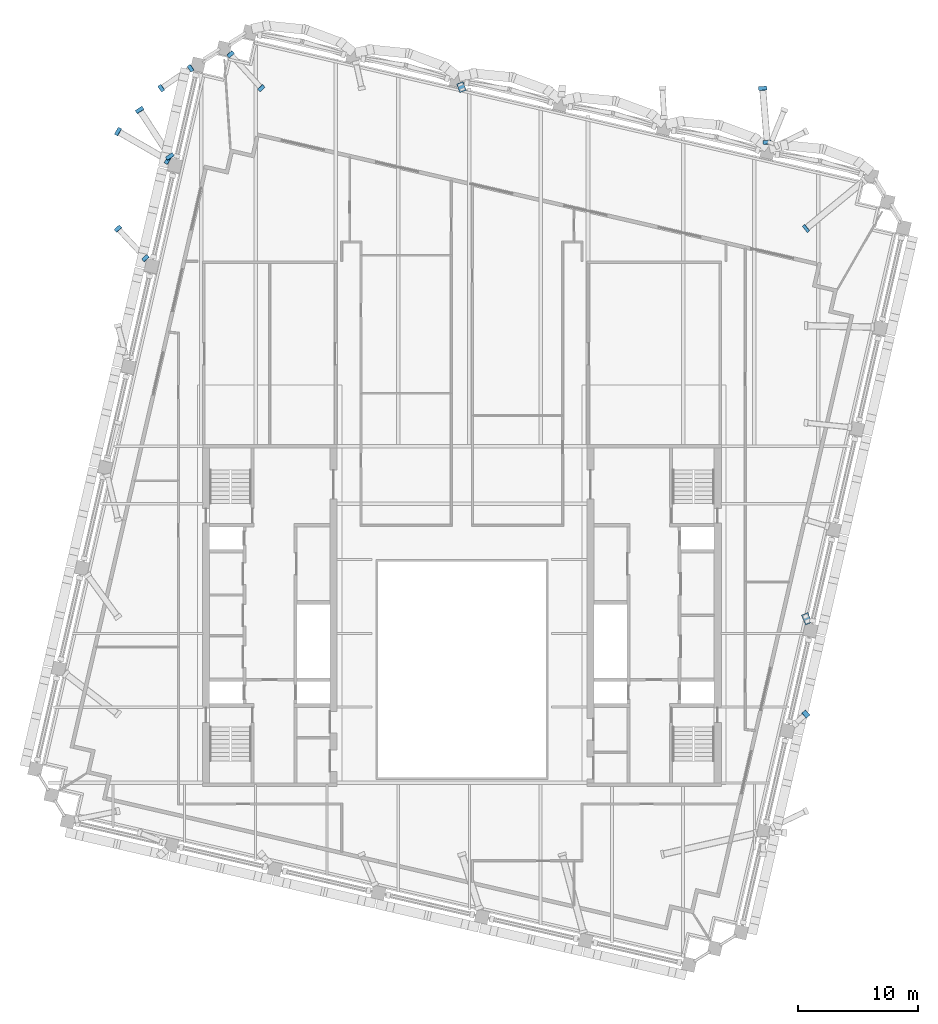
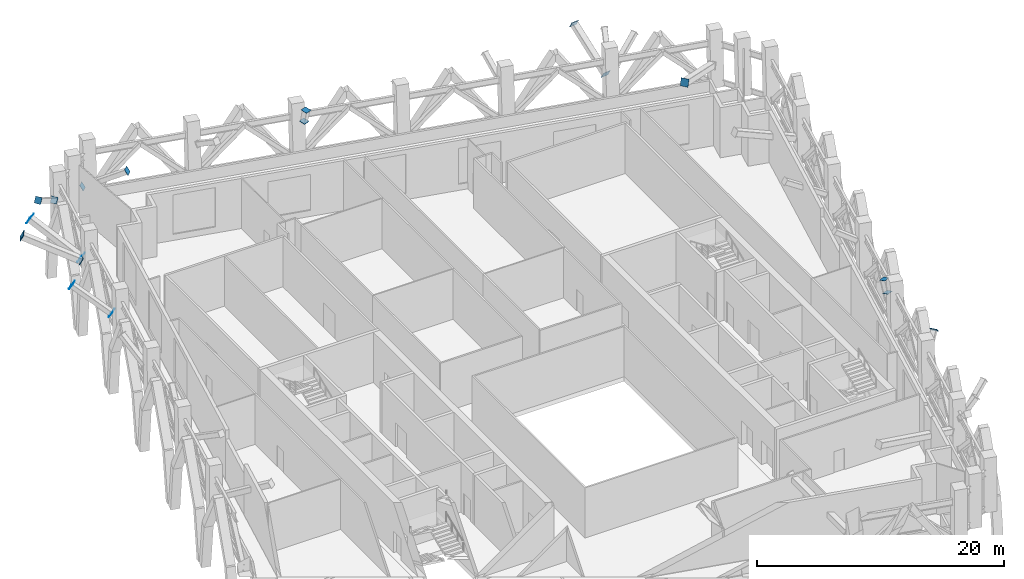
# One storey, part 12 of 19: 18 discrete accessories.
"""IFC4 building model written with IfcOpenShell, lengths in metres."""

from ifc_helpers import new_model, si_unit, direction, frame, origin, origin_2d, place, context, subcontext, project, spatial, rectangle, extrude, material, material_profile, profile_set, type_object, element, save


model = new_model("IFC4")

# Units and contexts
model_context = context("Model", 3, precision=1e-05, world=origin(), true_north=direction((0.0, 1.0)))
body_context = subcontext(model_context, "Body", "Model", "MODEL_VIEW")
ifc_project = project(units=[si_unit("LENGTHUNIT", "METRE"), si_unit("AREAUNIT", "SQUARE_METRE"), si_unit("VOLUMEUNIT", "CUBIC_METRE"), si_unit("PLANEANGLEUNIT", "RADIAN"), si_unit("MASSUNIT", "GRAM", prefix="KILO")], contexts=[model_context])

# Site, building, storey
site_placement = place(None, origin())
site = spatial("IfcSite", under=ifc_project, at=site_placement, CompositionType="ELEMENT")
building_placement = place(site_placement, origin())
building = spatial("IfcBuilding", under=site, at=building_placement, Name="Ogive Exchange Tower", CompositionType="ELEMENT")
storey_placement = place(building_placement, frame((0.0, 0.0, 297.60009765625)))
storey = spatial("IfcBuildingStorey", under=building, at=storey_placement, Name="L65", CompositionType="ELEMENT", Elevation=297.60009765625)

# Discrete accessories
ifc_material = material(Name="Steel ASTM A572 Gr50", Category="steel")
ifc_material_profile_1 = material_profile(ifc_material, rectangle(XDim=0.576904296875, YDim=0.576904296875, at=origin_2d()), Name="PL 577 x 577 x 25")
ifc_profile_set_1 = profile_set([ifc_material_profile_1], Name="Steel ASTM A572 Gr50")
discrete_accessory_type_1 = type_object("IfcDiscreteAccessoryType", Name="Gusset plate 577 x 577 x 25", PredefinedType="USERDEFINED", material=ifc_profile_set_1)
discrete_accessory_1_placement = place(storey_placement, frame((28.636474609375, 3.273681640625, 4.7666015625), z_axis=(0.537590489982, 0.478944254711, 0.693980450704), x_axis=(-0.665206042149, 0.746659843228, 0.0)))
element("IfcDiscreteAccessory", 1, at=discrete_accessory_1_placement, inside=storey, type_object=discrete_accessory_type_1, Name="Block-change strut 9 end plate B", ObjectType="GUSSET PLATE", PredefinedType="USERDEFINED", context=body_context, shape_type="SweptSolid", body=[
    extrude(rectangle(XDim=0.576904296875, YDim=0.576904296875, at=origin_2d()), origin(), (0.0, 0.0, 1.0), 0.02490234375),
])
discrete_accessory_2_placement = place(storey_placement, frame((28.773681640625, 11.06787109375, 3.689697265625), z_axis=(-0.0974694055, 0.24367351375, 0.964947114451), x_axis=(-0.928476690885, -0.371390676354, 0.0)))
element("IfcDiscreteAccessory", 2, at=discrete_accessory_2_placement, inside=storey, type_object=discrete_accessory_type_1, Name="Block-change strut 10 end plate A", ObjectType="GUSSET PLATE", PredefinedType="USERDEFINED", context=body_context, shape_type="SweptSolid", body=[
    extrude(rectangle(XDim=0.576904296875, YDim=0.576904296875, at=origin_2d()), origin(), (0.0, 0.0, 1.0), 0.025146484375),
])
for number, where, z_axis, x_axis, name in (
    (3, (28.652587890625, 11.365234375, 4.86572265625), (-0.10812410118, 0.245736593591, 0.963287446879), (-0.915315032423, -0.402738614266, 0.0), "Block-change strut 10 end plate B"),
    (4, (-0.073486328125, 55.584716796875, 3.712646484375), (0.058573532143, -0.156196085714, 0.98598779107), (0.936329177569, 0.351123441588, 0.0), "Block-change strut 19 end plate A"),
    (5, (-0.00146484375, 55.40380859375, 4.887939453125), (0.058573532143, -0.156196085714, 0.98598779107), (0.936329177569, 0.351123441588, 0.0), "Block-change strut 19 end plate B"),
    (6, (-19.275390625, 58.24267578125, 2.37744140625), (0.575973066071, -0.624784342856, 0.527161789285), (0.735243731243, 0.677802814739, 0.0), "Block-change strut 21 end plate A"),
):
    element("IfcDiscreteAccessory", number, at=place(storey_placement, frame(where, z_axis=z_axis, x_axis=x_axis)), inside=storey, type_object=discrete_accessory_type_1, Name=name, ObjectType="GUSSET PLATE", PredefinedType="USERDEFINED", context=body_context, shape_type="SweptSolid", body=[
        extrude(rectangle(XDim=0.576904296875, YDim=0.576904296875, at=origin_2d()), origin(), (0.0, 0.0, 1.0), 0.02490234375),
    ])
discrete_accessory_3_placement = place(storey_placement, frame((-16.71435546875, 55.415771484375, 4.742431640625), z_axis=(0.572464899365, -0.630681668792, 0.523950924843), x_axis=(0.740455314082, 0.672105592782, 0.0)))
element("IfcDiscreteAccessory", 7, at=discrete_accessory_3_placement, inside=storey, type_object=discrete_accessory_type_1, Name="Block-change strut 21 end plate B", ObjectType="GUSSET PLATE", PredefinedType="USERDEFINED", context=body_context, shape_type="SweptSolid", body=[
    extrude(rectangle(XDim=0.576904296875, YDim=0.576904296875, at=origin_2d()), origin(), (0.0, 0.0, 1.0), 0.025146484375),
])
for number, where, z_axis, x_axis, name in (
    (8, (-22.5810546875, 57.072021484375, 2.906982421875), (-0.705882352941, -0.470588235294, 0.529411764706), (0.554700196225, -0.832050294338, 0.0), "Block-change strut 22 end plate A"),
    (9, (-25.032470703125, 55.411865234375, 4.742431640625), (-0.702614595482, -0.478168266369, 0.526960946611), (0.562624043307, -0.826712879961, 0.0), "Block-change strut 22 end plate B"),
):
    element("IfcDiscreteAccessory", number, at=place(storey_placement, frame(where, z_axis=z_axis, x_axis=x_axis)), inside=storey, type_object=discrete_accessory_type_1, Name=name, ObjectType="GUSSET PLATE", PredefinedType="USERDEFINED", context=body_context, shape_type="SweptSolid", body=[
        extrude(rectangle(XDim=0.576904296875, YDim=0.576904296875, at=origin_2d()), origin(), (0.0, 0.0, 1.0), 0.02490234375),
    ])
discrete_accessory_4_placement = place(storey_placement, frame((-26.34228515625, 41.242919921875, 2.659423828125), z_axis=(-0.582504784328, 0.621996634112, 0.52326700965), x_axis=(-0.729898402418, -0.683555646709, 0.0)))
element("IfcDiscreteAccessory", 10, at=discrete_accessory_4_placement, inside=storey, type_object=discrete_accessory_type_1, Name="Block-change strut 24 end plate A", ObjectType="GUSSET PLATE", PredefinedType="USERDEFINED", context=body_context, shape_type="SweptSolid", body=[
    extrude(rectangle(XDim=0.576904296875, YDim=0.576904296875, at=origin_2d()), origin(), (0.0, 0.0, 1.0), 0.024658203125),
])
discrete_accessory_5_placement = place(storey_placement, frame((-28.635498046875, 43.69873046875, 4.742431640625), z_axis=(-0.575973066071, 0.624784342856, 0.527161789285), x_axis=(-0.735243731243, -0.677802814739, 0.0)))
element("IfcDiscreteAccessory", 11, at=discrete_accessory_5_placement, inside=storey, type_object=discrete_accessory_type_1, Name="Block-change strut 24 end plate B", ObjectType="GUSSET PLATE", PredefinedType="USERDEFINED", context=body_context, shape_type="SweptSolid", body=[
    extrude(rectangle(XDim=0.576904296875, YDim=0.576904296875, at=origin_2d()), origin(), (0.0, 0.0, 1.0), 0.02490234375),
])
ifc_material_profile_2 = material_profile(ifc_material, rectangle(XDim=0.678955078125, YDim=0.678955078125, at=origin_2d()), Name="PL 679 x 679 x 25")
ifc_profile_set_2 = profile_set([ifc_material_profile_2], Name="Steel ASTM A572 Gr50")
discrete_accessory_type_2 = type_object("IfcDiscreteAccessoryType", Name="Gusset plate 679 x 679 x 25", PredefinedType="USERDEFINED", material=ifc_profile_set_2)
for number, where, z_axis, x_axis, name in (
    (12, (28.66796875, 43.72900390625, 4.6796875), (-0.7240649043, -0.587079652135, 0.36203245215), (0.629801958421, -0.77675574872, 0.0), "Block-change strut 14 end plate B"),
    (13, (25.42626953125, 50.887451171875, 2.302978515625), (-0.078191245319, 0.879651509835, 0.469147471912), (-0.996072640693, -0.088539790284, 0.0), "Block-change strut 16 end plate A"),
    (14, (25.0517578125, 55.3779296875, 4.691162109375), (-0.068466411317, 0.880282431218, 0.469483963316), (-0.996988962962, -0.077543586008, 0.0), "Block-change strut 16 end plate B"),
    (15, (-24.48291015625, 49.400634765625, 2.2998046875), (-0.771954209049, 0.449492324257, 0.449492324257), (-0.503190728668, -0.864175381843, 0.0), "Block-change strut 23 end plate A"),
    (16, (-28.630615234375, 51.788818359375, 4.688720703125), (-0.775329983005, 0.451457964788, 0.441643661205), (-0.503190728668, -0.864175381843, 0.0), "Block-change strut 23 end plate B"),
    (17, (-24.31298828125, 49.709716796875, 2.301513671875), (-0.488298946091, 0.742214398058, 0.459001009325), (-0.835417082244, -0.549616501476, 0.0), "Block-change strut 33 end plate A"),
):
    element("IfcDiscreteAccessory", number, at=place(storey_placement, frame(where, z_axis=z_axis, x_axis=x_axis)), inside=storey, type_object=discrete_accessory_type_2, Name=name, ObjectType="GUSSET PLATE", PredefinedType="USERDEFINED", context=body_context, shape_type="SweptSolid", body=[
        extrude(rectangle(XDim=0.678955078125, YDim=0.678955078125, at=origin_2d()), origin(), (0.0, 0.0, 1.0), 0.02490234375),
    ])
discrete_accessory_6_placement = place(storey_placement, frame((-26.837890625, 53.581298828125, 4.690185546875), z_axis=(-0.484774772636, 0.746553149859, 0.455688286278), x_axis=(-0.838692381994, -0.544605442853, 0.0)))
element("IfcDiscreteAccessory", 18, at=discrete_accessory_6_placement, inside=storey, type_object=discrete_accessory_type_2, Name="Block-change strut 33 end plate B", ObjectType="GUSSET PLATE", PredefinedType="USERDEFINED", context=body_context, shape_type="SweptSolid", body=[
    extrude(rectangle(XDim=0.678955078125, YDim=0.678955078125, at=origin_2d()), origin(), (0.0, 0.0, 1.0), 0.025146484375),
])

save(model, "model.ifc")
